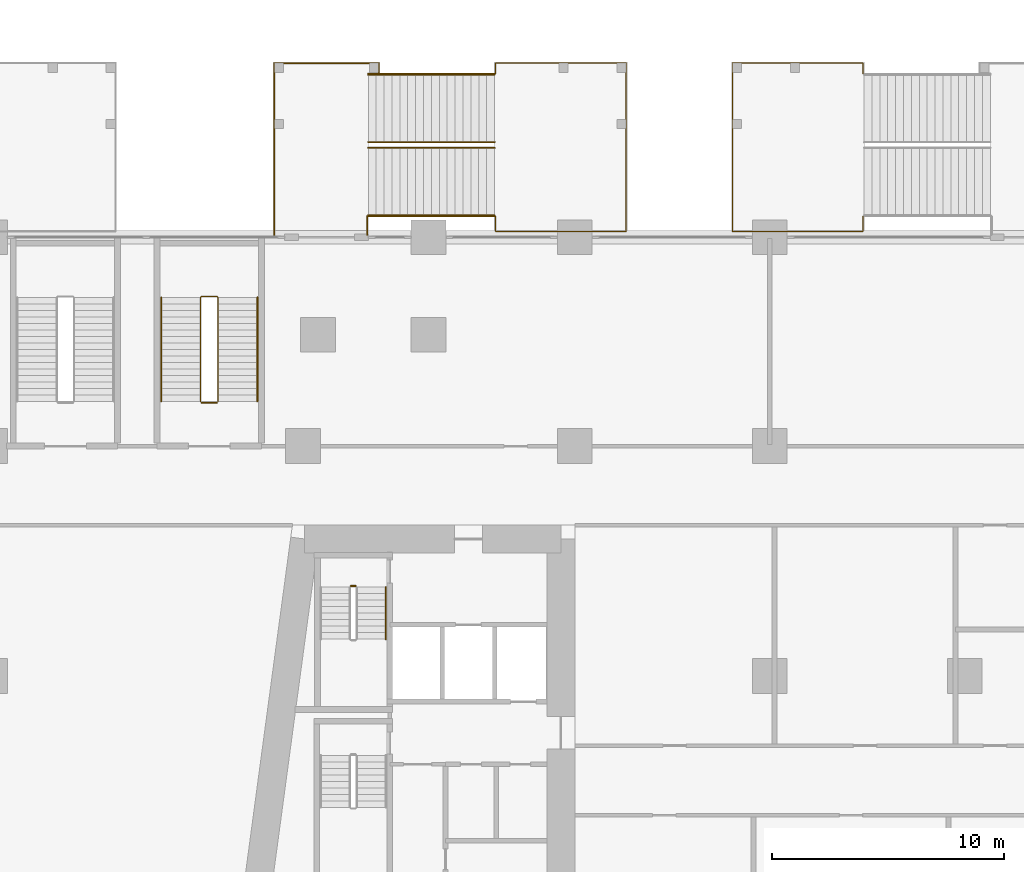
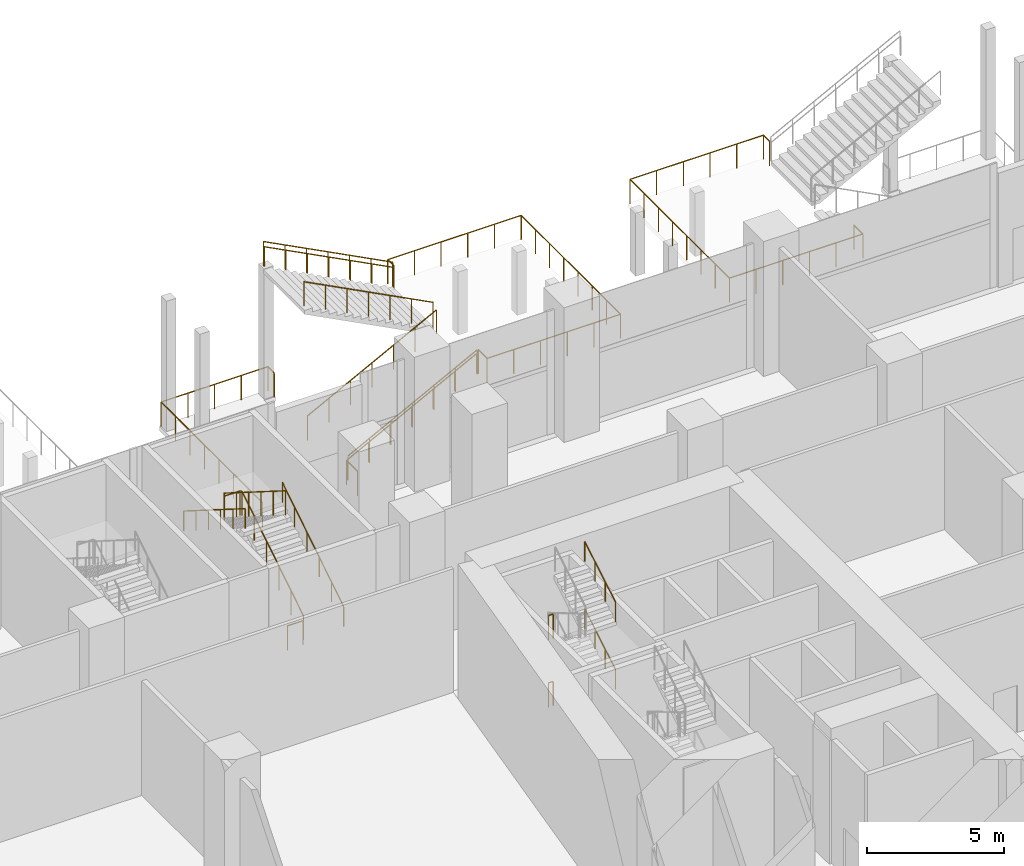
# One storey, part 41 of 47: 18 railings.
"""IFC4 building model written with IfcOpenShell, lengths in metres."""

from ifc_helpers import new_model, si_unit, direction, frame, origin, origin_2d, place, context, subcontext, project, spatial, circle, extrude, material, type_object, element, save


model = new_model("IFC4")

# Units and contexts
model_context = context("Model", 3, precision=1e-05, world=origin(), true_north=direction((0.0, 1.0)))
body_context = subcontext(model_context, "Body", "Model", "MODEL_VIEW")
ifc_project = project(units=[si_unit("LENGTHUNIT", "METRE"), si_unit("AREAUNIT", "SQUARE_METRE"), si_unit("VOLUMEUNIT", "CUBIC_METRE"), si_unit("PLANEANGLEUNIT", "RADIAN"), si_unit("MASSUNIT", "GRAM", prefix="KILO")], contexts=[model_context])

# Site, building, storey
site_placement = place(None, origin())
site = spatial("IfcSite", under=ifc_project, at=site_placement, CompositionType="ELEMENT")
building_placement = place(site_placement, origin())
building = spatial("IfcBuilding", under=site, at=building_placement, Name="Candeia Pilgrim Tower and Theatre", CompositionType="ELEMENT")
storey_placement = place(building_placement, frame((0.0, 0.0, 23.0)))
storey = spatial("IfcBuildingStorey", under=building, at=storey_placement, Name="L03", CompositionType="ELEMENT", Elevation=23.0)

# Railings
ifc_material_1 = material(Name="Stainless steel balustrade", Category="steel")
railing_type_1 = type_object("IfcRailingType", Name="RL-GUARD-1100", PredefinedType="GUARDRAIL", material=ifc_material_1)
for number, where, name in (
    (1, (91.152099609375, 129.77490234375, 3.0), "L03 ST2 stair guard 2"),
    (2, (91.152099609375, 129.77490234375, 0.0), "L03 ST2 stair guard 4"),
):
    element("IfcRailing", number, at=place(storey_placement, frame(where)), inside=storey, type_object=railing_type_1, Name=name, PredefinedType="GUARDRAIL", context=body_context, shape_type="SweptSolid", body=[
        extrude(circle(Radius=0.02392578125, at=origin_2d()), frame((0.0, 0.0, 1.076171875), z_axis=(1.0, 0.0, 0.0), x_axis=(0.0, 1.0, 0.0)), (0.0, 0.0, 1.0), 0.199951171875),
        extrude(circle(Radius=0.02099609375, at=origin_2d()), origin(), (0.0, 0.0, 1.0), 1.052001953125),
        extrude(circle(Radius=0.02099609375, at=origin_2d()), frame((0.199951171875, 0.0, 0.0)), (0.0, 0.0, 1.0), 1.052001953125),
    ])
railing_1_placement = place(storey_placement, frame((85.425048828125, 137.72509765625, 0.176513671875)))
element("IfcRailing", 3, at=railing_1_placement, inside=storey, type_object=railing_type_1, Name="L03 PS2 stair guard 1", PredefinedType="GUARDRAIL", context=body_context, shape_type="SweptSolid", body=[
    extrude(circle(Radius=0.02392578125, at=origin_2d()), frame((0.0, 0.0, 1.076171875), z_axis=(0.0, 0.845997938375, 0.533186166611), x_axis=(-1.0, 0.0, 0.0)), (0.0, 0.0, 1.0), 5.29541015625),
    extrude(circle(Radius=0.02392578125, at=origin_2d()), frame((0.0, 4.47998046875, 3.8994140625), z_axis=(-0.708833529934, 0.705375805398, 0.0), x_axis=(-0.705375805398, -0.708833529934, 0.0)), (0.0, 0.0, 1.0), 0.070556640625),
    extrude(circle(Radius=0.02392578125, at=origin_2d()), frame((-0.050048828125, 4.52978515625, 3.8994140625), z_axis=(-1.0, 0.0, 0.0), x_axis=(0.0, -1.0, 0.0)), (0.0, 0.0, 1.0), 0.64990234375),
    extrude(circle(Radius=0.02392578125, at=origin_2d()), frame((-0.699951171875, 4.52978515625, 3.8994140625), z_axis=(-0.263260079301, -0.261975883792, 0.928473352853), x_axis=(0.705375805398, -0.708833529934, 0.0)), (0.0, 0.0, 1.0), 0.190185546875),
    extrude(circle(Radius=0.02392578125, at=origin_2d()), frame((-0.75, 4.47998046875, 4.076171875), z_axis=(0.0, -0.845997938375, 0.533186166611), x_axis=(1.0, 0.0, 0.0)), (0.0, 0.0, 1.0), 5.29541015625),
    extrude(circle(Radius=0.02099609375, at=origin_2d()), origin(), (0.0, 0.0, 1.0), 1.052001953125),
    extrude(circle(Radius=0.02099609375, at=origin_2d()), frame((0.0, 0.89599609375, 0.564697265625)), (0.0, 0.0, 1.0), 1.052001953125),
    extrude(circle(Radius=0.02099609375, at=origin_2d()), frame((0.0, 1.7919921875, 1.12939453125)), (0.0, 0.0, 1.0), 1.052001953125),
    extrude(circle(Radius=0.02099609375, at=origin_2d()), frame((0.0, 2.68798828125, 1.694091796875)), (0.0, 0.0, 1.0), 1.052001953125),
    extrude(circle(Radius=0.02099609375, at=origin_2d()), frame((0.0, 3.583984375, 2.2587890625)), (0.0, 0.0, 1.0), 1.052001953125),
    extrude(circle(Radius=0.02099609375, at=origin_2d()), frame((0.0, 4.47998046875, 2.823486328125)), (0.0, 0.0, 1.0), 1.052001953125),
    extrude(circle(Radius=0.02099609375, at=origin_2d()), frame((-0.050048828125, 4.52978515625, 2.823486328125)), (0.0, 0.0, 1.0), 1.052001953125),
    extrude(circle(Radius=0.02099609375, at=origin_2d()), frame((-0.699951171875, 4.52978515625, 2.823486328125)), (0.0, 0.0, 1.0), 1.052001953125),
    extrude(circle(Radius=0.02099609375, at=origin_2d()), frame((-0.75, 4.47998046875, 3.0)), (0.0, 0.0, 1.0), 1.052001953125),
    extrude(circle(Radius=0.02099609375, at=origin_2d()), frame((-0.75, 3.583984375, 3.564697265625)), (0.0, 0.0, 1.0), 1.052001953125),
    extrude(circle(Radius=0.02099609375, at=origin_2d()), frame((-0.75, 2.68798828125, 4.12939453125)), (0.0, 0.0, 1.0), 1.052001953125),
    extrude(circle(Radius=0.02099609375, at=origin_2d()), frame((-0.75, 1.7919921875, 4.694091796875)), (0.0, 0.0, 1.0), 1.052001953125),
    extrude(circle(Radius=0.02099609375, at=origin_2d()), frame((-0.75, 0.89599609375, 5.2587890625)), (0.0, 0.0, 1.0), 1.052001953125),
    extrude(circle(Radius=0.02099609375, at=origin_2d()), frame((-0.75, 0.0, 5.823486328125)), (0.0, 0.0, 1.0), 1.052001953125),
])
railing_2_placement = place(storey_placement, frame((85.375, 137.675048828125, 0.0)))
element("IfcRailing", 4, at=railing_2_placement, inside=storey, type_object=railing_type_1, Name="L03 PS2 stair guard 2", PredefinedType="GUARDRAIL", context=body_context, shape_type="SweptSolid", body=[
    extrude(circle(Radius=0.02392578125, at=origin_2d()), frame((0.0, 0.0, 1.076171875), z_axis=(-1.0, 0.0, 0.0), x_axis=(0.0, -1.0, 0.0)), (0.0, 0.0, 1.0), 0.64990234375),
    extrude(circle(Radius=0.02099609375, at=origin_2d()), origin(), (0.0, 0.0, 1.0), 1.052001953125),
    extrude(circle(Radius=0.02099609375, at=origin_2d()), frame((-0.64990234375, 0.0, 0.0)), (0.0, 0.0, 1.0), 1.052001953125),
])
railing_3_placement = place(storey_placement, frame((91.89990234375, 148.64990234375, 0.176513671875)))
element("IfcRailing", 5, at=railing_3_placement, inside=storey, type_object=railing_type_1, Name="L03 ES5 stair guard 1", PredefinedType="GUARDRAIL", context=body_context, shape_type="SweptSolid", body=[
    extrude(circle(Radius=0.02392578125, at=origin_2d()), frame((0.0, 0.0, 1.076171875), z_axis=(0.887577827043, 0.0, 0.460657791579), x_axis=(0.0, 1.0, 0.0)), (0.0, 0.0, 1.0), 6.129150390625),
    extrude(circle(Radius=0.02099609375, at=origin_2d()), origin(), (0.0, 0.0, 1.0), 1.052001953125),
    extrude(circle(Radius=0.02099609375, at=origin_2d()), frame((0.90673828125, 0.0, 0.470703125)), (0.0, 0.0, 1.0), 1.052001953125),
    extrude(circle(Radius=0.02099609375, at=origin_2d()), frame((1.8134765625, 0.0, 0.941162109375)), (0.0, 0.0, 1.0), 1.052001953125),
    extrude(circle(Radius=0.02099609375, at=origin_2d()), frame((2.72021484375, 0.0, 1.41162109375)), (0.0, 0.0, 1.0), 1.052001953125),
    extrude(circle(Radius=0.02099609375, at=origin_2d()), frame((3.626708984375, 0.0, 1.88232421875)), (0.0, 0.0, 1.0), 1.052001953125),
    extrude(circle(Radius=0.02099609375, at=origin_2d()), frame((4.533447265625, 0.0, 2.35302734375)), (0.0, 0.0, 1.0), 1.052001953125),
    extrude(circle(Radius=0.02099609375, at=origin_2d()), frame((5.440185546875, 0.0, 2.823486328125)), (0.0, 0.0, 1.0), 1.052001953125),
])
railing_4_placement = place(storey_placement, frame((97.340087890625, 148.89990234375, 3.176513671875)))
element("IfcRailing", 6, at=railing_4_placement, inside=storey, type_object=railing_type_1, Name="L03 ES5 stair guard 2", PredefinedType="GUARDRAIL", context=body_context, shape_type="SweptSolid", body=[
    extrude(circle(Radius=0.02392578125, at=origin_2d()), frame((0.0, 0.0, 1.076171875), z_axis=(-0.887577827043, 0.0, 0.460657791579), x_axis=(0.0, -1.0, 0.0)), (0.0, 0.0, 1.0), 6.129150390625),
    extrude(circle(Radius=0.02099609375, at=origin_2d()), origin(), (0.0, 0.0, 1.0), 1.052001953125),
    extrude(circle(Radius=0.02099609375, at=origin_2d()), frame((-0.90673828125, 0.0, 0.470703125)), (0.0, 0.0, 1.0), 1.052001953125),
    extrude(circle(Radius=0.02099609375, at=origin_2d()), frame((-1.8134765625, 0.0, 0.941162109375)), (0.0, 0.0, 1.0), 1.052001953125),
    extrude(circle(Radius=0.02099609375, at=origin_2d()), frame((-2.72021484375, 0.0, 1.41162109375)), (0.0, 0.0, 1.0), 1.052001953125),
    extrude(circle(Radius=0.02099609375, at=origin_2d()), frame((-3.626708984375, 0.0, 1.88232421875)), (0.0, 0.0, 1.0), 1.052001953125),
    extrude(circle(Radius=0.02099609375, at=origin_2d()), frame((-4.533447265625, 0.0, 2.35302734375)), (0.0, 0.0, 1.0), 1.052001953125),
    extrude(circle(Radius=0.02099609375, at=origin_2d()), frame((-5.440185546875, 0.0, 2.823486328125)), (0.0, 0.0, 1.0), 1.052001953125),
])
railing_5_placement = place(storey_placement, frame((91.89990234375, 145.699951171875, 0.176513671875)))
element("IfcRailing", 7, at=railing_5_placement, inside=storey, type_object=railing_type_1, Name="L03 ES5 stair guard 3", PredefinedType="GUARDRAIL", context=body_context, shape_type="SweptSolid", body=[
    extrude(circle(Radius=0.02392578125, at=origin_2d()), frame((0.0, 0.0, 1.076171875), z_axis=(0.887577827043, 0.0, 0.460657791579), x_axis=(0.0, 1.0, 0.0)), (0.0, 0.0, 1.0), 6.129150390625),
    extrude(circle(Radius=0.02099609375, at=origin_2d()), origin(), (0.0, 0.0, 1.0), 1.052001953125),
    extrude(circle(Radius=0.02099609375, at=origin_2d()), frame((0.90673828125, 0.0, 0.470703125)), (0.0, 0.0, 1.0), 1.052001953125),
    extrude(circle(Radius=0.02099609375, at=origin_2d()), frame((1.8134765625, 0.0, 0.941162109375)), (0.0, 0.0, 1.0), 1.052001953125),
    extrude(circle(Radius=0.02099609375, at=origin_2d()), frame((2.72021484375, 0.0, 1.41162109375)), (0.0, 0.0, 1.0), 1.052001953125),
    extrude(circle(Radius=0.02099609375, at=origin_2d()), frame((3.626708984375, 0.0, 1.88232421875)), (0.0, 0.0, 1.0), 1.052001953125),
    extrude(circle(Radius=0.02099609375, at=origin_2d()), frame((4.533447265625, 0.0, 2.35302734375)), (0.0, 0.0, 1.0), 1.052001953125),
    extrude(circle(Radius=0.02099609375, at=origin_2d()), frame((5.440185546875, 0.0, 2.823486328125)), (0.0, 0.0, 1.0), 1.052001953125),
])
railing_6_placement = place(storey_placement, frame((97.340087890625, 151.85009765625, 3.176513671875)))
element("IfcRailing", 8, at=railing_6_placement, inside=storey, type_object=railing_type_1, Name="L03 ES5 stair guard 4", PredefinedType="GUARDRAIL", context=body_context, shape_type="SweptSolid", body=[
    extrude(circle(Radius=0.02392578125, at=origin_2d()), frame((0.0, 0.0, 1.076171875), z_axis=(-0.887577827043, 0.0, 0.460657791579), x_axis=(0.0, -1.0, 0.0)), (0.0, 0.0, 1.0), 6.129150390625),
    extrude(circle(Radius=0.02099609375, at=origin_2d()), origin(), (0.0, 0.0, 1.0), 1.052001953125),
    extrude(circle(Radius=0.02099609375, at=origin_2d()), frame((-0.90673828125, 0.0, 0.470703125)), (0.0, 0.0, 1.0), 1.052001953125),
    extrude(circle(Radius=0.02099609375, at=origin_2d()), frame((-1.8134765625, 0.0, 0.941162109375)), (0.0, 0.0, 1.0), 1.052001953125),
    extrude(circle(Radius=0.02099609375, at=origin_2d()), frame((-2.72021484375, 0.0, 1.41162109375)), (0.0, 0.0, 1.0), 1.052001953125),
    extrude(circle(Radius=0.02099609375, at=origin_2d()), frame((-3.626708984375, 0.0, 1.88232421875)), (0.0, 0.0, 1.0), 1.052001953125),
    extrude(circle(Radius=0.02099609375, at=origin_2d()), frame((-4.533447265625, 0.0, 2.35302734375)), (0.0, 0.0, 1.0), 1.052001953125),
    extrude(circle(Radius=0.02099609375, at=origin_2d()), frame((-5.440185546875, 0.0, 2.823486328125)), (0.0, 0.0, 1.0), 1.052001953125),
])
railing_7_placement = place(storey_placement, frame((97.389892578125, 145.699951171875, 3.0)))
element("IfcRailing", 9, at=railing_7_placement, inside=storey, type_object=railing_type_1, Name="L03 ES5 stair guard 5", PredefinedType="GUARDRAIL", context=body_context, shape_type="SweptSolid", body=[
    extrude(circle(Radius=0.02392578125, at=origin_2d()), frame((0.0, 0.0, 1.076171875), z_axis=(0.0, -1.0, 0.0), x_axis=(1.0, 0.0, 0.0)), (0.0, 0.0, 1.0), 0.64990234375),
    extrude(circle(Radius=0.02392578125, at=origin_2d()), frame((0.0, -0.64990234375, 1.076171875), z_axis=(1.0, 0.0, 0.0), x_axis=(0.0, 1.0, 0.0)), (0.0, 0.0, 1.0), 5.6201171875),
    extrude(circle(Radius=0.02392578125, at=origin_2d()), frame((5.6201171875, -0.64990234375, 1.076171875), z_axis=(0.0, 1.0, 0.0), x_axis=(-1.0, 0.0, 0.0)), (0.0, 0.0, 1.0), 7.25),
    extrude(circle(Radius=0.02392578125, at=origin_2d()), frame((5.6201171875, 6.60009765625, 1.076171875), z_axis=(-1.0, 0.0, 0.0), x_axis=(0.0, -1.0, 0.0)), (0.0, 0.0, 1.0), 5.6201171875),
    extrude(circle(Radius=0.02392578125, at=origin_2d()), frame((0.0, 6.60009765625, 1.076171875), z_axis=(0.0, -1.0, 0.0), x_axis=(1.0, 0.0, 0.0)), (0.0, 0.0, 1.0), 0.449951171875),
    extrude(circle(Radius=0.02099609375, at=origin_2d()), origin(), (0.0, 0.0, 1.0), 1.052001953125),
    extrude(circle(Radius=0.02099609375, at=origin_2d()), frame((0.0, -0.64990234375, 0.0)), (0.0, 0.0, 1.0), 1.052001953125),
    extrude(circle(Radius=0.02099609375, at=origin_2d()), frame((1.1240234375, -0.64990234375, 0.0)), (0.0, 0.0, 1.0), 1.052001953125),
    extrude(circle(Radius=0.02099609375, at=origin_2d()), frame((2.248046875, -0.64990234375, 0.0)), (0.0, 0.0, 1.0), 1.052001953125),
    extrude(circle(Radius=0.02099609375, at=origin_2d()), frame((3.3720703125, -0.64990234375, 0.0)), (0.0, 0.0, 1.0), 1.052001953125),
    extrude(circle(Radius=0.02099609375, at=origin_2d()), frame((4.49609375, -0.64990234375, 0.0)), (0.0, 0.0, 1.0), 1.052001953125),
    extrude(circle(Radius=0.02099609375, at=origin_2d()), frame((5.6201171875, -0.64990234375, 0.0)), (0.0, 0.0, 1.0), 1.052001953125),
    extrude(circle(Radius=0.02099609375, at=origin_2d()), frame((5.6201171875, 0.3857421875, 0.0)), (0.0, 0.0, 1.0), 1.052001953125),
    extrude(circle(Radius=0.02099609375, at=origin_2d()), frame((5.6201171875, 1.421630859375, 0.0)), (0.0, 0.0, 1.0), 1.052001953125),
    extrude(circle(Radius=0.02099609375, at=origin_2d()), frame((5.6201171875, 2.457275390625, 0.0)), (0.0, 0.0, 1.0), 1.052001953125),
    extrude(circle(Radius=0.02099609375, at=origin_2d()), frame((5.6201171875, 3.492919921875, 0.0)), (0.0, 0.0, 1.0), 1.052001953125),
    extrude(circle(Radius=0.02099609375, at=origin_2d()), frame((5.6201171875, 4.528564453125, 0.0)), (0.0, 0.0, 1.0), 1.052001953125),
    extrude(circle(Radius=0.02099609375, at=origin_2d()), frame((5.6201171875, 5.564453125, 0.0)), (0.0, 0.0, 1.0), 1.052001953125),
    extrude(circle(Radius=0.02099609375, at=origin_2d()), frame((5.6201171875, 6.60009765625, 0.0)), (0.0, 0.0, 1.0), 1.052001953125),
    extrude(circle(Radius=0.02099609375, at=origin_2d()), frame((4.49609375, 6.60009765625, 0.0)), (0.0, 0.0, 1.0), 1.052001953125),
    extrude(circle(Radius=0.02099609375, at=origin_2d()), frame((3.3720703125, 6.60009765625, 0.0)), (0.0, 0.0, 1.0), 1.052001953125),
    extrude(circle(Radius=0.02099609375, at=origin_2d()), frame((2.248046875, 6.60009765625, 0.0)), (0.0, 0.0, 1.0), 1.052001953125),
    extrude(circle(Radius=0.02099609375, at=origin_2d()), frame((1.1240234375, 6.60009765625, 0.0)), (0.0, 0.0, 1.0), 1.052001953125),
    extrude(circle(Radius=0.02099609375, at=origin_2d()), frame((0.0, 6.60009765625, 0.0)), (0.0, 0.0, 1.0), 1.052001953125),
    extrude(circle(Radius=0.02099609375, at=origin_2d()), frame((0.0, 6.150146484375, 0.0)), (0.0, 0.0, 1.0), 1.052001953125),
])
railing_8_placement = place(storey_placement, frame((87.85009765625, 144.89990234375, 0.0)))
element("IfcRailing", 10, at=railing_8_placement, inside=storey, type_object=railing_type_1, Name="L03 External escape stair ES5 landing guard", PredefinedType="GUARDRAIL", context=body_context, shape_type="SweptSolid", body=[
    extrude(circle(Radius=0.02392578125, at=origin_2d()), frame((0.0, 0.0, 1.076171875), z_axis=(0.0, 1.0, 0.0), x_axis=(-1.0, 0.0, 0.0)), (0.0, 0.0, 1.0), 7.400146484375),
    extrude(circle(Radius=0.02392578125, at=origin_2d()), frame((0.0, 7.400146484375, 1.076171875), z_axis=(1.0, 0.0, 0.0), x_axis=(0.0, 1.0, 0.0)), (0.0, 0.0, 1.0), 4.5),
    extrude(circle(Radius=0.02392578125, at=origin_2d()), frame((4.5, 7.400146484375, 1.076171875), z_axis=(0.0, -1.0, 0.0), x_axis=(1.0, 0.0, 0.0)), (0.0, 0.0, 1.0), 0.449951171875),
    extrude(circle(Radius=0.02099609375, at=origin_2d()), origin(), (0.0, 0.0, 1.0), 1.052001953125),
    extrude(circle(Radius=0.02099609375, at=origin_2d()), frame((0.0, 1.05712890625, 0.0)), (0.0, 0.0, 1.0), 1.052001953125),
    extrude(circle(Radius=0.02099609375, at=origin_2d()), frame((0.0, 2.1142578125, 0.0)), (0.0, 0.0, 1.0), 1.052001953125),
    extrude(circle(Radius=0.02099609375, at=origin_2d()), frame((0.0, 3.17138671875, 0.0)), (0.0, 0.0, 1.0), 1.052001953125),
    extrude(circle(Radius=0.02099609375, at=origin_2d()), frame((0.0, 4.228759765625, 0.0)), (0.0, 0.0, 1.0), 1.052001953125),
    extrude(circle(Radius=0.02099609375, at=origin_2d()), frame((0.0, 5.285888671875, 0.0)), (0.0, 0.0, 1.0), 1.052001953125),
    extrude(circle(Radius=0.02099609375, at=origin_2d()), frame((0.0, 6.343017578125, 0.0)), (0.0, 0.0, 1.0), 1.052001953125),
    extrude(circle(Radius=0.02099609375, at=origin_2d()), frame((0.0, 7.400146484375, 0.0)), (0.0, 0.0, 1.0), 1.052001953125),
    extrude(circle(Radius=0.02099609375, at=origin_2d()), frame((1.125, 7.400146484375, 0.0)), (0.0, 0.0, 1.0), 1.052001953125),
    extrude(circle(Radius=0.02099609375, at=origin_2d()), frame((2.25, 7.400146484375, 0.0)), (0.0, 0.0, 1.0), 1.052001953125),
    extrude(circle(Radius=0.02099609375, at=origin_2d()), frame((3.375, 7.400146484375, 0.0)), (0.0, 0.0, 1.0), 1.052001953125),
    extrude(circle(Radius=0.02099609375, at=origin_2d()), frame((4.5, 7.400146484375, 0.0)), (0.0, 0.0, 1.0), 1.052001953125),
    extrude(circle(Radius=0.02099609375, at=origin_2d()), frame((4.5, 6.9501953125, 0.0)), (0.0, 0.0, 1.0), 1.052001953125),
])
railing_9_placement = place(storey_placement, frame((91.85009765625, 144.89990234375, 0.0)))
element("IfcRailing", 11, at=railing_9_placement, inside=storey, type_object=railing_type_1, Name="L03 External escape stair ES5 bridge guard", PredefinedType="GUARDRAIL", context=body_context, shape_type="SweptSolid", body=[
    extrude(circle(Radius=0.02392578125, at=origin_2d()), frame((0.0, 0.0, 1.076171875), z_axis=(0.0, 1.0, 0.0), x_axis=(-1.0, 0.0, 0.0)), (0.0, 0.0, 1.0), 0.800048828125),
    extrude(circle(Radius=0.02099609375, at=origin_2d()), origin(), (0.0, 0.0, 1.0), 1.052001953125),
    extrude(circle(Radius=0.02099609375, at=origin_2d()), frame((0.0, 0.800048828125, 0.0)), (0.0, 0.0, 1.0), 1.052001953125),
])
railing_10_placement = place(storey_placement, frame((113.2099609375, 145.699951171875, 3.0)))
element("IfcRailing", 12, at=railing_10_placement, inside=storey, type_object=railing_type_1, Name="L03 ES6 stair guard 5", PredefinedType="GUARDRAIL", context=body_context, shape_type="SweptSolid", body=[
    extrude(circle(Radius=0.02392578125, at=origin_2d()), frame((0.0, 0.0, 1.076171875), z_axis=(0.0, -1.0, 0.0), x_axis=(1.0, 0.0, 0.0)), (0.0, 0.0, 1.0), 0.64990234375),
    extrude(circle(Radius=0.02392578125, at=origin_2d()), frame((0.0, -0.64990234375, 1.076171875), z_axis=(-1.0, 0.0, 0.0), x_axis=(0.0, -1.0, 0.0)), (0.0, 0.0, 1.0), 5.619873046875),
    extrude(circle(Radius=0.02392578125, at=origin_2d()), frame((-5.619873046875, -0.64990234375, 1.076171875), z_axis=(0.0, 1.0, 0.0), x_axis=(-1.0, 0.0, 0.0)), (0.0, 0.0, 1.0), 7.25),
    extrude(circle(Radius=0.02392578125, at=origin_2d()), frame((-5.619873046875, 6.60009765625, 1.076171875), z_axis=(1.0, 0.0, 0.0), x_axis=(0.0, 1.0, 0.0)), (0.0, 0.0, 1.0), 5.619873046875),
    extrude(circle(Radius=0.02392578125, at=origin_2d()), frame((0.0, 6.60009765625, 1.076171875), z_axis=(0.0, -1.0, 0.0), x_axis=(1.0, 0.0, 0.0)), (0.0, 0.0, 1.0), 0.449951171875),
    extrude(circle(Radius=0.02099609375, at=origin_2d()), origin(), (0.0, 0.0, 1.0), 1.052001953125),
    extrude(circle(Radius=0.02099609375, at=origin_2d()), frame((0.0, -0.64990234375, 0.0)), (0.0, 0.0, 1.0), 1.052001953125),
    extrude(circle(Radius=0.02099609375, at=origin_2d()), frame((-1.1240234375, -0.64990234375, 0.0)), (0.0, 0.0, 1.0), 1.052001953125),
    extrude(circle(Radius=0.02099609375, at=origin_2d()), frame((-2.248046875, -0.64990234375, 0.0)), (0.0, 0.0, 1.0), 1.052001953125),
    extrude(circle(Radius=0.02099609375, at=origin_2d()), frame((-3.371826171875, -0.64990234375, 0.0)), (0.0, 0.0, 1.0), 1.052001953125),
    extrude(circle(Radius=0.02099609375, at=origin_2d()), frame((-4.495849609375, -0.64990234375, 0.0)), (0.0, 0.0, 1.0), 1.052001953125),
    extrude(circle(Radius=0.02099609375, at=origin_2d()), frame((-5.619873046875, -0.64990234375, 0.0)), (0.0, 0.0, 1.0), 1.052001953125),
    extrude(circle(Radius=0.02099609375, at=origin_2d()), frame((-5.619873046875, 0.3857421875, 0.0)), (0.0, 0.0, 1.0), 1.052001953125),
    extrude(circle(Radius=0.02099609375, at=origin_2d()), frame((-5.619873046875, 1.421630859375, 0.0)), (0.0, 0.0, 1.0), 1.052001953125),
    extrude(circle(Radius=0.02099609375, at=origin_2d()), frame((-5.619873046875, 2.457275390625, 0.0)), (0.0, 0.0, 1.0), 1.052001953125),
    extrude(circle(Radius=0.02099609375, at=origin_2d()), frame((-5.619873046875, 3.492919921875, 0.0)), (0.0, 0.0, 1.0), 1.052001953125),
    extrude(circle(Radius=0.02099609375, at=origin_2d()), frame((-5.619873046875, 4.528564453125, 0.0)), (0.0, 0.0, 1.0), 1.052001953125),
    extrude(circle(Radius=0.02099609375, at=origin_2d()), frame((-5.619873046875, 5.564453125, 0.0)), (0.0, 0.0, 1.0), 1.052001953125),
    extrude(circle(Radius=0.02099609375, at=origin_2d()), frame((-5.619873046875, 6.60009765625, 0.0)), (0.0, 0.0, 1.0), 1.052001953125),
    extrude(circle(Radius=0.02099609375, at=origin_2d()), frame((-4.495849609375, 6.60009765625, 0.0)), (0.0, 0.0, 1.0), 1.052001953125),
    extrude(circle(Radius=0.02099609375, at=origin_2d()), frame((-3.371826171875, 6.60009765625, 0.0)), (0.0, 0.0, 1.0), 1.052001953125),
    extrude(circle(Radius=0.02099609375, at=origin_2d()), frame((-2.248046875, 6.60009765625, 0.0)), (0.0, 0.0, 1.0), 1.052001953125),
    extrude(circle(Radius=0.02099609375, at=origin_2d()), frame((-1.1240234375, 6.60009765625, 0.0)), (0.0, 0.0, 1.0), 1.052001953125),
    extrude(circle(Radius=0.02099609375, at=origin_2d()), frame((0.0, 6.60009765625, 0.0)), (0.0, 0.0, 1.0), 1.052001953125),
    extrude(circle(Radius=0.02099609375, at=origin_2d()), frame((0.0, 6.150146484375, 0.0)), (0.0, 0.0, 1.0), 1.052001953125),
])
ifc_material_2 = material(Name="Stainless steel handrail", Category="steel")
railing_type_2 = type_object("IfcRailingType", Name="RL-HANDRAIL-900", PredefinedType="HANDRAIL", material=ifc_material_2)
for number, where, name in (
    (13, (92.652099609375, 127.485107421875, 1.666748046875), "L03 ST2 stair handrail 2"),
    (14, (92.652099609375, 127.485107421875, 4.666748046875), "L03 ST2 stair handrail 4"),
):
    element("IfcRailing", number, at=place(storey_placement, frame(where)), inside=storey, type_object=railing_type_2, Name=name, PredefinedType="HANDRAIL", context=body_context, shape_type="SweptSolid", body=[
        extrude(circle(Radius=0.02392578125, at=origin_2d()), frame((0.0, 0.0, 0.8759765625), z_axis=(0.0, 0.859305625298, 0.511462454469), x_axis=(-1.0, 0.0, 0.0)), (0.0, 0.0, 1.0), 2.606689453125),
        extrude(circle(Radius=0.02099609375, at=origin_2d()), origin(), (0.0, 0.0, 1.0), 0.851806640625),
        extrude(circle(Radius=0.02099609375, at=origin_2d()), frame((0.0, 0.74658203125, 0.4443359375)), (0.0, 0.0, 1.0), 0.851806640625),
        extrude(circle(Radius=0.02099609375, at=origin_2d()), frame((0.0, 1.493408203125, 0.888916015625)), (0.0, 0.0, 1.0), 0.851806640625),
        extrude(circle(Radius=0.02099609375, at=origin_2d()), frame((0.0, 2.239990234375, 1.333251953125)), (0.0, 0.0, 1.0), 0.851806640625),
    ])
railing_11_placement = place(storey_placement, frame((87.125, 137.72509765625, 0.176513671875)))
element("IfcRailing", 15, at=railing_11_placement, inside=storey, type_object=railing_type_2, Name="L03 PS2 stair handrail 1", PredefinedType="HANDRAIL", context=body_context, shape_type="SweptSolid", body=[
    extrude(circle(Radius=0.02392578125, at=origin_2d()), frame((0.0, 0.0, 0.8759765625), z_axis=(0.0, 0.845997938375, 0.533186166611), x_axis=(-1.0, 0.0, 0.0)), (0.0, 0.0, 1.0), 5.29541015625),
    extrude(circle(Radius=0.02099609375, at=origin_2d()), origin(), (0.0, 0.0, 1.0), 0.851806640625),
    extrude(circle(Radius=0.02099609375, at=origin_2d()), frame((0.0, 0.89599609375, 0.564697265625)), (0.0, 0.0, 1.0), 0.851806640625),
    extrude(circle(Radius=0.02099609375, at=origin_2d()), frame((0.0, 1.7919921875, 1.12939453125)), (0.0, 0.0, 1.0), 0.851806640625),
    extrude(circle(Radius=0.02099609375, at=origin_2d()), frame((0.0, 2.68798828125, 1.694091796875)), (0.0, 0.0, 1.0), 0.851806640625),
    extrude(circle(Radius=0.02099609375, at=origin_2d()), frame((0.0, 3.583984375, 2.2587890625)), (0.0, 0.0, 1.0), 0.851806640625),
    extrude(circle(Radius=0.02099609375, at=origin_2d()), frame((0.0, 4.47998046875, 2.823486328125)), (0.0, 0.0, 1.0), 0.851806640625),
])
railing_12_placement = place(storey_placement, frame((82.97509765625, 142.205078125, 3.176513671875)))
element("IfcRailing", 16, at=railing_12_placement, inside=storey, type_object=railing_type_2, Name="L03 PS2 stair handrail 2", PredefinedType="HANDRAIL", context=body_context, shape_type="SweptSolid", body=[
    extrude(circle(Radius=0.02392578125, at=origin_2d()), frame((0.0, 0.0, 0.8759765625), z_axis=(0.0, -0.845997938375, 0.533186166611), x_axis=(1.0, 0.0, 0.0)), (0.0, 0.0, 1.0), 5.29541015625),
    extrude(circle(Radius=0.02099609375, at=origin_2d()), origin(), (0.0, 0.0, 1.0), 0.851806640625),
    extrude(circle(Radius=0.02099609375, at=origin_2d()), frame((0.0, -0.89599609375, 0.564697265625)), (0.0, 0.0, 1.0), 0.851806640625),
    extrude(circle(Radius=0.02099609375, at=origin_2d()), frame((0.0, -1.7919921875, 1.12939453125)), (0.0, 0.0, 1.0), 0.851806640625),
    extrude(circle(Radius=0.02099609375, at=origin_2d()), frame((0.0, -2.68798828125, 1.694091796875)), (0.0, 0.0, 1.0), 0.851806640625),
    extrude(circle(Radius=0.02099609375, at=origin_2d()), frame((0.0, -3.583984375, 2.2587890625)), (0.0, 0.0, 1.0), 0.851806640625),
    extrude(circle(Radius=0.02099609375, at=origin_2d()), frame((0.0, -4.47998046875, 2.823486328125)), (0.0, 0.0, 1.0), 0.851806640625),
])
railing_13_placement = place(storey_placement, frame((91.89990234375, 145.75, 0.176513671875)))
element("IfcRailing", 17, at=railing_13_placement, inside=storey, type_object=railing_type_2, Name="L03 ES5 stair handrail 1", PredefinedType="HANDRAIL", context=body_context, shape_type="SweptSolid", body=[
    extrude(circle(Radius=0.02392578125, at=origin_2d()), frame((0.0, 0.0, 0.8759765625), z_axis=(0.887577827043, 0.0, 0.460657791579), x_axis=(0.0, 1.0, 0.0)), (0.0, 0.0, 1.0), 6.129150390625),
    extrude(circle(Radius=0.02099609375, at=origin_2d()), origin(), (0.0, 0.0, 1.0), 0.851806640625),
    extrude(circle(Radius=0.02099609375, at=origin_2d()), frame((0.90673828125, 0.0, 0.470703125)), (0.0, 0.0, 1.0), 0.851806640625),
    extrude(circle(Radius=0.02099609375, at=origin_2d()), frame((1.8134765625, 0.0, 0.941162109375)), (0.0, 0.0, 1.0), 0.851806640625),
    extrude(circle(Radius=0.02099609375, at=origin_2d()), frame((2.72021484375, 0.0, 1.41162109375)), (0.0, 0.0, 1.0), 0.851806640625),
    extrude(circle(Radius=0.02099609375, at=origin_2d()), frame((3.626708984375, 0.0, 1.88232421875)), (0.0, 0.0, 1.0), 0.851806640625),
    extrude(circle(Radius=0.02099609375, at=origin_2d()), frame((4.533447265625, 0.0, 2.35302734375)), (0.0, 0.0, 1.0), 0.851806640625),
    extrude(circle(Radius=0.02099609375, at=origin_2d()), frame((5.440185546875, 0.0, 2.823486328125)), (0.0, 0.0, 1.0), 0.851806640625),
])
railing_14_placement = place(storey_placement, frame((97.340087890625, 151.800048828125, 3.176513671875)))
element("IfcRailing", 18, at=railing_14_placement, inside=storey, type_object=railing_type_2, Name="L03 ES5 stair handrail 2", PredefinedType="HANDRAIL", context=body_context, shape_type="SweptSolid", body=[
    extrude(circle(Radius=0.02392578125, at=origin_2d()), frame((0.0, 0.0, 0.8759765625), z_axis=(-0.887577827043, 0.0, 0.460657791579), x_axis=(0.0, -1.0, 0.0)), (0.0, 0.0, 1.0), 6.129150390625),
    extrude(circle(Radius=0.02099609375, at=origin_2d()), origin(), (0.0, 0.0, 1.0), 0.851806640625),
    extrude(circle(Radius=0.02099609375, at=origin_2d()), frame((-0.90673828125, 0.0, 0.470703125)), (0.0, 0.0, 1.0), 0.851806640625),
    extrude(circle(Radius=0.02099609375, at=origin_2d()), frame((-1.8134765625, 0.0, 0.941162109375)), (0.0, 0.0, 1.0), 0.851806640625),
    extrude(circle(Radius=0.02099609375, at=origin_2d()), frame((-2.72021484375, 0.0, 1.41162109375)), (0.0, 0.0, 1.0), 0.851806640625),
    extrude(circle(Radius=0.02099609375, at=origin_2d()), frame((-3.626708984375, 0.0, 1.88232421875)), (0.0, 0.0, 1.0), 0.851806640625),
    extrude(circle(Radius=0.02099609375, at=origin_2d()), frame((-4.533447265625, 0.0, 2.35302734375)), (0.0, 0.0, 1.0), 0.851806640625),
    extrude(circle(Radius=0.02099609375, at=origin_2d()), frame((-5.440185546875, 0.0, 2.823486328125)), (0.0, 0.0, 1.0), 0.851806640625),
])

save(model, "model.ifc")
